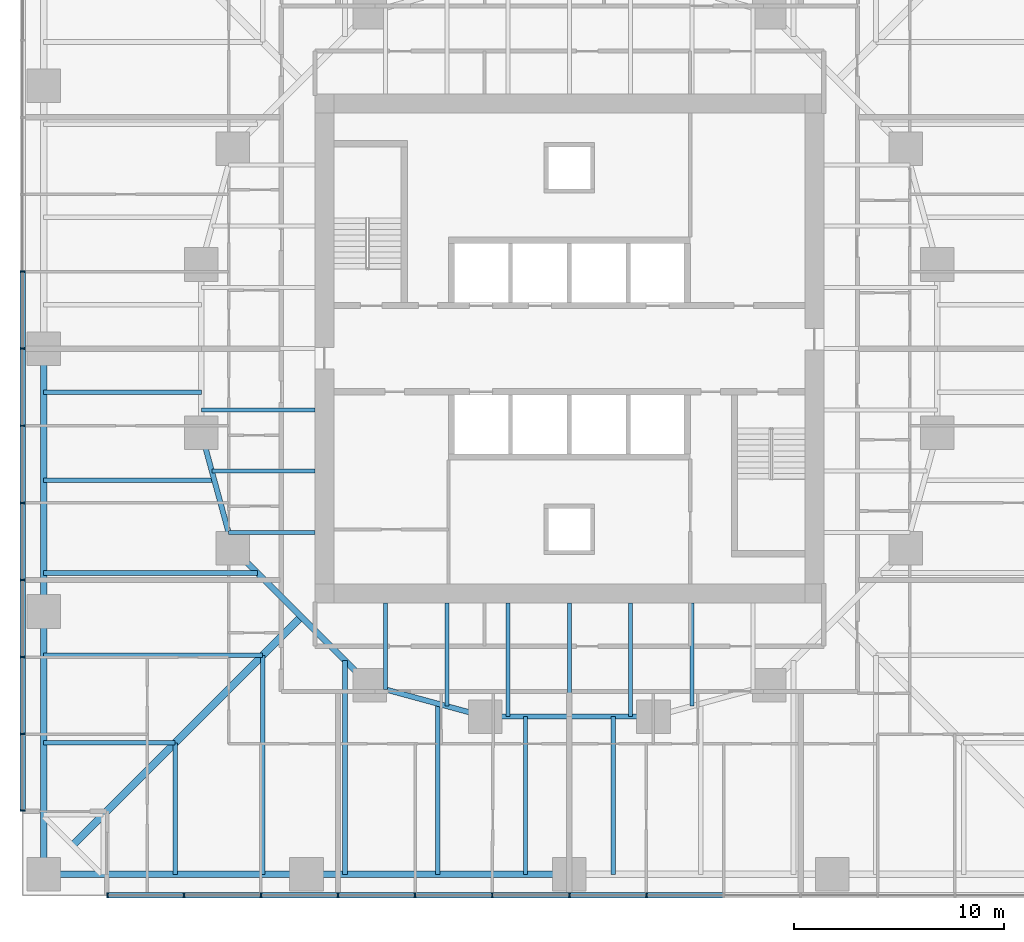
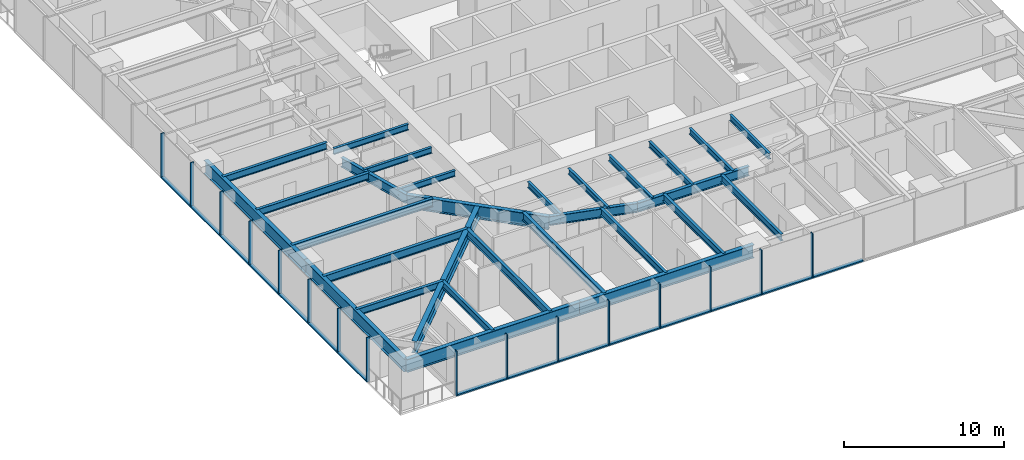
# One storey, part 2 of 14: 31 members, 29 beams, 2 elements without a shape of their own.
"""IFC4 building model written with IfcOpenShell, lengths in metres."""

from ifc_helpers import new_model, si_unit, direction, frame, origin, origin_2d, place, context, subcontext, project, spatial, rectangle, i_section, extrude, material, material_profile, profile_set, type_object, element, aggregate, save


model = new_model("IFC4")

# Units and contexts
model_context = context("Model", 3, precision=1e-05, world=origin(), true_north=direction((0.0, 1.0)))
body_context = subcontext(model_context, "Body", "Model", "MODEL_VIEW")
ifc_project = project(units=[si_unit("LENGTHUNIT", "METRE"), si_unit("AREAUNIT", "SQUARE_METRE"), si_unit("VOLUMEUNIT", "CUBIC_METRE"), si_unit("PLANEANGLEUNIT", "RADIAN"), si_unit("MASSUNIT", "GRAM", prefix="KILO")], contexts=[model_context])

# Site, building, storey
site_placement = place(None, origin())
site = spatial("IfcSite", under=ifc_project, at=site_placement, CompositionType="ELEMENT")
building_placement = place(site_placement, origin())
building = spatial("IfcBuilding", under=site, at=building_placement, Name="Torsade Residences", CompositionType="ELEMENT")
storey_placement = place(building_placement, frame((0.0, 0.0, 32.0)))
storey = spatial("IfcBuildingStorey", under=building, at=storey_placement, Name="L08", CompositionType="ELEMENT", Elevation=32.0)

# Beam
ifc_material_1 = material(Name="Steel grade 300", Category="steel")
ifc_material_profile_1 = material_profile(ifc_material_1, i_section(OverallWidth=0.35009765625, OverallDepth=0.909912109375, WebThickness=0.011962890625, FlangeThickness=0.02490234375, at=origin_2d()), Name="900WB218")
ifc_profile_set_1 = profile_set([ifc_material_profile_1], Name="Steel grade 300")
beam_type_1 = type_object("IfcBeamType", Name="CORNER GIRDER 900WB218", PredefinedType="BEAM", material=ifc_profile_set_1)
beam_1_placement = place(storey_placement, frame((16.375, 6.375, 2.794921875), z_axis=(0.707106781187, 0.707106781187, 0.0), x_axis=(-0.707106781187, 0.707106781187, 0.0)))
element("IfcBeam", 1, at=beam_1_placement, inside=storey, type_object=beam_type_1, Name="Corner girder 01 L09", PredefinedType="BEAM", context=body_context, shape_type="SweptSolid", body=[
    extrude(i_section(OverallWidth=0.35009765625, OverallDepth=0.909912109375, WebThickness=0.011962890625, FlangeThickness=0.02490234375, at=origin_2d()), origin(), (0.0, 0.0, 1.0), 15.379638671875),
])

# Curtain wall, members
ifc_material_2 = material(Name="Aluminium and glass", Category="aluminium")
curtain_wall_type = type_object("IfcCurtainWallType", Name="FRITTED GLASS CURTAIN WALL LOW ZONE", PredefinedType="NOTDEFINED", material=ifc_material_2)
curtain_wall_1_placement = place(storey_placement, origin())
curtain_wall_1 = element("IfcCurtainWall", 2, at=curtain_wall_1_placement, inside=storey, type_object=curtain_wall_type, Name="Curtain wall L08 face 1", PredefinedType="NOTDEFINED")
ifc_material_3 = material(Name="Aluminium mullion", Category="aluminium")
ifc_material_profile_2 = material_profile(ifc_material_3, rectangle(XDim=0.25, YDim=0.06494140625, at=origin_2d()), Name="CURTAIN WALL MULLION 250x65")
ifc_profile_set_2 = profile_set([ifc_material_profile_2], Name="Aluminium mullion")
member_type_1 = type_object("IfcMemberType", Name="CURTAIN WALL MULLION 250x65", PredefinedType="MULLION", material=ifc_profile_set_2)
member_1_placement = place(storey_placement, frame((18.032470703125, 4.0, 0.0), z_axis=(0.0, 0.0, 1.0), x_axis=(0.0, 1.0, 0.0)))
member_1 = element("IfcMember", 3, at=member_1_placement, type_object=member_type_1, Name="Mullion 1", PredefinedType="MULLION", context=body_context, shape_type="SweptSolid", body=[
    extrude(rectangle(XDim=0.25, YDim=0.06494140625, at=origin_2d()), origin(), (0.0, 0.0, 1.0), 3.39990234375),
])
member_2_placement = place(storey_placement, frame((21.666748046875, 4.0, 0.0), z_axis=(0.0, 0.0, 1.0), x_axis=(0.0, 1.0, 0.0)))
member_2 = element("IfcMember", 4, at=member_2_placement, type_object=member_type_1, Name="Mullion 2", PredefinedType="MULLION", context=body_context, shape_type="SweptSolid", body=[
    extrude(rectangle(XDim=0.25, YDim=0.06494140625, at=origin_2d()), origin(), (0.0, 0.0, 1.0), 3.39990234375),
])
member_3_placement = place(storey_placement, frame((25.333251953125, 4.0, 0.0), z_axis=(0.0, 0.0, 1.0), x_axis=(0.0, 1.0, 0.0)))
member_3 = element("IfcMember", 5, at=member_3_placement, type_object=member_type_1, Name="Mullion 3", PredefinedType="MULLION", context=body_context, shape_type="SweptSolid", body=[
    extrude(rectangle(XDim=0.25, YDim=0.06494140625, at=origin_2d()), origin(), (0.0, 0.0, 1.0), 3.39990234375),
])
member_4_placement = place(storey_placement, frame((29.0, 4.0, 0.0), z_axis=(0.0, 0.0, 1.0), x_axis=(0.0, 1.0, 0.0)))
member_4 = element("IfcMember", 6, at=member_4_placement, type_object=member_type_1, Name="Mullion 4", PredefinedType="MULLION", context=body_context, shape_type="SweptSolid", body=[
    extrude(rectangle(XDim=0.25, YDim=0.06494140625, at=origin_2d()), origin(), (0.0, 0.0, 1.0), 3.39990234375),
])
member_5_placement = place(storey_placement, frame((32.666748046875, 4.0, 0.0), z_axis=(0.0, 0.0, 1.0), x_axis=(0.0, 1.0, 0.0)))
member_5 = element("IfcMember", 7, at=member_5_placement, type_object=member_type_1, Name="Mullion 5", PredefinedType="MULLION", context=body_context, shape_type="SweptSolid", body=[
    extrude(rectangle(XDim=0.25, YDim=0.06494140625, at=origin_2d()), origin(), (0.0, 0.0, 1.0), 3.39990234375),
])
member_6_placement = place(storey_placement, frame((36.333251953125, 4.0, 0.0), z_axis=(0.0, 0.0, 1.0), x_axis=(0.0, 1.0, 0.0)))
member_6 = element("IfcMember", 8, at=member_6_placement, type_object=member_type_1, Name="Mullion 6", PredefinedType="MULLION", context=body_context, shape_type="SweptSolid", body=[
    extrude(rectangle(XDim=0.25, YDim=0.06494140625, at=origin_2d()), origin(), (0.0, 0.0, 1.0), 3.39990234375),
])
member_7_placement = place(storey_placement, frame((40.0, 4.0, 0.0), z_axis=(0.0, 0.0, 1.0), x_axis=(0.0, 1.0, 0.0)))
member_7 = element("IfcMember", 9, at=member_7_placement, type_object=member_type_1, Name="Mullion 7", PredefinedType="MULLION", context=body_context, shape_type="SweptSolid", body=[
    extrude(rectangle(XDim=0.25, YDim=0.06494140625, at=origin_2d()), origin(), (0.0, 0.0, 1.0), 3.39990234375),
])
member_8_placement = place(storey_placement, frame((43.666748046875, 4.0, 0.0), z_axis=(0.0, 0.0, 1.0), x_axis=(0.0, 1.0, 0.0)))
member_8 = element("IfcMember", 10, at=member_8_placement, type_object=member_type_1, Name="Mullion 8", PredefinedType="MULLION", context=body_context, shape_type="SweptSolid", body=[
    extrude(rectangle(XDim=0.25, YDim=0.06494140625, at=origin_2d()), origin(), (0.0, 0.0, 1.0), 3.39990234375),
])

curtain_wall_2_placement = place(storey_placement, origin())
curtain_wall_2 = element("IfcCurtainWall", 11, at=curtain_wall_2_placement, inside=storey, type_object=curtain_wall_type, Name="Curtain wall L08 face 10", PredefinedType="NOTDEFINED")
member_9_placement = place(storey_placement, frame((14.0, 33.666748046875, 0.0), z_axis=(0.0, 0.0, 1.0), x_axis=(1.0, 0.0, 0.0)))
member_9 = element("IfcMember", 12, at=member_9_placement, type_object=member_type_1, Name="Mullion 6", PredefinedType="MULLION", context=body_context, shape_type="SweptSolid", body=[
    extrude(rectangle(XDim=0.25, YDim=0.06494140625, at=origin_2d()), origin(), (0.0, 0.0, 1.0), 3.39990234375),
])
member_10_placement = place(storey_placement, frame((14.0, 30.0, 0.0), z_axis=(0.0, 0.0, 1.0), x_axis=(1.0, 0.0, 0.0)))
member_10 = element("IfcMember", 13, at=member_10_placement, type_object=member_type_1, Name="Mullion 7", PredefinedType="MULLION", context=body_context, shape_type="SweptSolid", body=[
    extrude(rectangle(XDim=0.25, YDim=0.06494140625, at=origin_2d()), origin(), (0.0, 0.0, 1.0), 3.39990234375),
])
member_11_placement = place(storey_placement, frame((14.0, 26.333251953125, 0.0), z_axis=(0.0, 0.0, 1.0), x_axis=(1.0, 0.0, 0.0)))
member_11 = element("IfcMember", 14, at=member_11_placement, type_object=member_type_1, Name="Mullion 8", PredefinedType="MULLION", context=body_context, shape_type="SweptSolid", body=[
    extrude(rectangle(XDim=0.25, YDim=0.06494140625, at=origin_2d()), origin(), (0.0, 0.0, 1.0), 3.39990234375),
])
member_12_placement = place(storey_placement, frame((14.0, 22.666748046875, 0.0), z_axis=(0.0, 0.0, 1.0), x_axis=(1.0, 0.0, 0.0)))
member_12 = element("IfcMember", 15, at=member_12_placement, type_object=member_type_1, Name="Mullion 9", PredefinedType="MULLION", context=body_context, shape_type="SweptSolid", body=[
    extrude(rectangle(XDim=0.25, YDim=0.06494140625, at=origin_2d()), origin(), (0.0, 0.0, 1.0), 3.39990234375),
])
member_13_placement = place(storey_placement, frame((14.0, 19.0, 0.0), z_axis=(0.0, 0.0, 1.0), x_axis=(1.0, 0.0, 0.0)))
member_13 = element("IfcMember", 16, at=member_13_placement, type_object=member_type_1, Name="Mullion 10", PredefinedType="MULLION", context=body_context, shape_type="SweptSolid", body=[
    extrude(rectangle(XDim=0.25, YDim=0.06494140625, at=origin_2d()), origin(), (0.0, 0.0, 1.0), 3.39990234375),
])
member_14_placement = place(storey_placement, frame((14.0, 15.333251953125, 0.0), z_axis=(0.0, 0.0, 1.0), x_axis=(1.0, 0.0, 0.0)))
member_14 = element("IfcMember", 17, at=member_14_placement, type_object=member_type_1, Name="Mullion 11", PredefinedType="MULLION", context=body_context, shape_type="SweptSolid", body=[
    extrude(rectangle(XDim=0.25, YDim=0.06494140625, at=origin_2d()), origin(), (0.0, 0.0, 1.0), 3.39990234375),
])
member_15_placement = place(storey_placement, frame((14.0, 11.666748046875, 0.0), z_axis=(0.0, 0.0, 1.0), x_axis=(1.0, 0.0, 0.0)))
member_15 = element("IfcMember", 18, at=member_15_placement, type_object=member_type_1, Name="Mullion 12", PredefinedType="MULLION", context=body_context, shape_type="SweptSolid", body=[
    extrude(rectangle(XDim=0.25, YDim=0.06494140625, at=origin_2d()), origin(), (0.0, 0.0, 1.0), 3.39990234375),
])
member_16_placement = place(storey_placement, frame((14.0, 8.032470703125, 0.0), z_axis=(0.0, 0.0, 1.0), x_axis=(1.0, 0.0, 0.0)))
member_16 = element("IfcMember", 19, at=member_16_placement, type_object=member_type_1, Name="Mullion 13", PredefinedType="MULLION", context=body_context, shape_type="SweptSolid", body=[
    extrude(rectangle(XDim=0.25, YDim=0.06494140625, at=origin_2d()), origin(), (0.0, 0.0, 1.0), 3.39990234375),
])

# Member
ifc_material_4 = material(Name="Aluminium transom", Category="aluminium")
ifc_material_profile_3 = material_profile(ifc_material_4, rectangle(XDim=0.25, YDim=0.10009765625, at=origin_2d()), Name="CURTAIN WALL TRANSOM 250x100")
ifc_profile_set_3 = profile_set([ifc_material_profile_3], Name="Aluminium transom")
member_type_2 = type_object("IfcMemberType", Name="CURTAIN WALL TRANSOM 250x100", PredefinedType="USERDEFINED", material=ifc_profile_set_3)
member_17_placement = place(storey_placement, frame((18.06494140625, 4.0, 0.050048828125), z_axis=(1.0, 0.0, 0.0), x_axis=(0.0, 1.0, 0.0)))
member_17 = element("IfcMember", 20, at=member_17_placement, type_object=member_type_2, Name="Transom 1.1", ObjectType="TRANSOM", PredefinedType="USERDEFINED", context=body_context, shape_type="SweptSolid", body=[
    extrude(rectangle(XDim=0.25, YDim=0.10009765625, at=origin_2d()), origin(), (0.0, 0.0, 1.0), 3.5693359375),
])

member_18_placement = place(storey_placement, frame((21.69921875, 4.0, 0.050048828125), z_axis=(1.0, 0.0, 0.0), x_axis=(0.0, 1.0, 0.0)))
member_18 = element("IfcMember", 21, at=member_18_placement, type_object=member_type_2, Name="Transom 2.1", ObjectType="TRANSOM", PredefinedType="USERDEFINED", context=body_context, shape_type="SweptSolid", body=[
    extrude(rectangle(XDim=0.25, YDim=0.10009765625, at=origin_2d()), origin(), (0.0, 0.0, 1.0), 3.6015625),
])

member_19_placement = place(storey_placement, frame((25.36572265625, 4.0, 0.050048828125), z_axis=(1.0, 0.0, 0.0), x_axis=(0.0, 1.0, 0.0)))
member_19 = element("IfcMember", 22, at=member_19_placement, type_object=member_type_2, Name="Transom 3.1", ObjectType="TRANSOM", PredefinedType="USERDEFINED", context=body_context, shape_type="SweptSolid", body=[
    extrude(rectangle(XDim=0.25, YDim=0.10009765625, at=origin_2d()), origin(), (0.0, 0.0, 1.0), 3.601806640625),
])

member_20_placement = place(storey_placement, frame((29.032470703125, 4.0, 0.050048828125), z_axis=(1.0, 0.0, 0.0), x_axis=(0.0, 1.0, 0.0)))
member_20 = element("IfcMember", 23, at=member_20_placement, type_object=member_type_2, Name="Transom 4.1", ObjectType="TRANSOM", PredefinedType="USERDEFINED", context=body_context, shape_type="SweptSolid", body=[
    extrude(rectangle(XDim=0.25, YDim=0.10009765625, at=origin_2d()), origin(), (0.0, 0.0, 1.0), 3.601806640625),
])

member_21_placement = place(storey_placement, frame((32.69921875, 4.0, 0.050048828125), z_axis=(1.0, 0.0, 0.0), x_axis=(0.0, 1.0, 0.0)))
member_21 = element("IfcMember", 24, at=member_21_placement, type_object=member_type_2, Name="Transom 5.1", ObjectType="TRANSOM", PredefinedType="USERDEFINED", context=body_context, shape_type="SweptSolid", body=[
    extrude(rectangle(XDim=0.25, YDim=0.10009765625, at=origin_2d()), origin(), (0.0, 0.0, 1.0), 3.6015625),
])

member_22_placement = place(storey_placement, frame((36.36572265625, 4.0, 0.050048828125), z_axis=(1.0, 0.0, 0.0), x_axis=(0.0, 1.0, 0.0)))
member_22 = element("IfcMember", 25, at=member_22_placement, type_object=member_type_2, Name="Transom 6.1", ObjectType="TRANSOM", PredefinedType="USERDEFINED", context=body_context, shape_type="SweptSolid", body=[
    extrude(rectangle(XDim=0.25, YDim=0.10009765625, at=origin_2d()), origin(), (0.0, 0.0, 1.0), 3.601806640625),
])

member_23_placement = place(storey_placement, frame((40.032470703125, 4.0, 0.050048828125), z_axis=(1.0, 0.0, 0.0), x_axis=(0.0, 1.0, 0.0)))
member_23 = element("IfcMember", 26, at=member_23_placement, type_object=member_type_2, Name="Transom 7.1", ObjectType="TRANSOM", PredefinedType="USERDEFINED", context=body_context, shape_type="SweptSolid", body=[
    extrude(rectangle(XDim=0.25, YDim=0.10009765625, at=origin_2d()), origin(), (0.0, 0.0, 1.0), 3.601806640625),
])

member_24_placement = place(storey_placement, frame((43.69921875, 4.0, 0.050048828125), z_axis=(1.0, 0.0, 0.0), x_axis=(0.0, 1.0, 0.0)))
member_24 = element("IfcMember", 27, at=member_24_placement, type_object=member_type_2, Name="Transom 8.1", ObjectType="TRANSOM", PredefinedType="USERDEFINED", context=body_context, shape_type="SweptSolid", body=[
    extrude(rectangle(XDim=0.25, YDim=0.10009765625, at=origin_2d()), origin(), (0.0, 0.0, 1.0), 3.6015625),
])

aggregate(curtain_wall_1, [member_1, member_2, member_3, member_4, member_5, member_6, member_7, member_8, member_17, member_18, member_19, member_20, member_21, member_22, member_23, member_24])

member_25_placement = place(storey_placement, frame((14.0, 33.63427734375, 0.050048828125), z_axis=(0.0, -1.0, 0.0), x_axis=(1.0, 0.0, 0.0)))
member_25 = element("IfcMember", 28, at=member_25_placement, type_object=member_type_2, Name="Transom 6.1", ObjectType="TRANSOM", PredefinedType="USERDEFINED", context=body_context, shape_type="SweptSolid", body=[
    extrude(rectangle(XDim=0.25, YDim=0.10009765625, at=origin_2d()), origin(), (0.0, 0.0, 1.0), 3.601806640625),
])

member_26_placement = place(storey_placement, frame((14.0, 29.967529296875, 0.050048828125), z_axis=(0.0, -1.0, 0.0), x_axis=(1.0, 0.0, 0.0)))
member_26 = element("IfcMember", 29, at=member_26_placement, type_object=member_type_2, Name="Transom 7.1", ObjectType="TRANSOM", PredefinedType="USERDEFINED", context=body_context, shape_type="SweptSolid", body=[
    extrude(rectangle(XDim=0.25, YDim=0.10009765625, at=origin_2d()), origin(), (0.0, 0.0, 1.0), 3.601806640625),
])

member_27_placement = place(storey_placement, frame((14.0, 26.30078125, 0.050048828125), z_axis=(0.0, -1.0, 0.0), x_axis=(1.0, 0.0, 0.0)))
member_27 = element("IfcMember", 30, at=member_27_placement, type_object=member_type_2, Name="Transom 8.1", ObjectType="TRANSOM", PredefinedType="USERDEFINED", context=body_context, shape_type="SweptSolid", body=[
    extrude(rectangle(XDim=0.25, YDim=0.10009765625, at=origin_2d()), origin(), (0.0, 0.0, 1.0), 3.6015625),
])

member_28_placement = place(storey_placement, frame((14.0, 22.63427734375, 0.050048828125), z_axis=(0.0, -1.0, 0.0), x_axis=(1.0, 0.0, 0.0)))
member_28 = element("IfcMember", 31, at=member_28_placement, type_object=member_type_2, Name="Transom 9.1", ObjectType="TRANSOM", PredefinedType="USERDEFINED", context=body_context, shape_type="SweptSolid", body=[
    extrude(rectangle(XDim=0.25, YDim=0.10009765625, at=origin_2d()), origin(), (0.0, 0.0, 1.0), 3.601806640625),
])

member_29_placement = place(storey_placement, frame((14.0, 18.967529296875, 0.050048828125), z_axis=(0.0, -1.0, 0.0), x_axis=(1.0, 0.0, 0.0)))
member_29 = element("IfcMember", 32, at=member_29_placement, type_object=member_type_2, Name="Transom 10.1", ObjectType="TRANSOM", PredefinedType="USERDEFINED", context=body_context, shape_type="SweptSolid", body=[
    extrude(rectangle(XDim=0.25, YDim=0.10009765625, at=origin_2d()), origin(), (0.0, 0.0, 1.0), 3.601806640625),
])

member_30_placement = place(storey_placement, frame((14.0, 15.30078125, 0.050048828125), z_axis=(0.0, -1.0, 0.0), x_axis=(1.0, 0.0, 0.0)))
member_30 = element("IfcMember", 33, at=member_30_placement, type_object=member_type_2, Name="Transom 11.1", ObjectType="TRANSOM", PredefinedType="USERDEFINED", context=body_context, shape_type="SweptSolid", body=[
    extrude(rectangle(XDim=0.25, YDim=0.10009765625, at=origin_2d()), origin(), (0.0, 0.0, 1.0), 3.6015625),
])

member_31_placement = place(storey_placement, frame((14.0, 11.63427734375, 0.050048828125), z_axis=(0.0, -1.0, 0.0), x_axis=(1.0, 0.0, 0.0)))
member_31 = element("IfcMember", 34, at=member_31_placement, type_object=member_type_2, Name="Transom 12.1", ObjectType="TRANSOM", PredefinedType="USERDEFINED", context=body_context, shape_type="SweptSolid", body=[
    extrude(rectangle(XDim=0.25, YDim=0.10009765625, at=origin_2d()), origin(), (0.0, 0.0, 1.0), 3.5693359375),
])

aggregate(curtain_wall_2, [member_9, member_10, member_11, member_12, member_13, member_14, member_15, member_16, member_25, member_26, member_27, member_28, member_29, member_30, member_31])

# Beams
ifc_material_5 = material(Name="Steel grade 300", Category="steel")
ifc_material_profile_4 = material_profile(ifc_material_5, i_section(OverallWidth=0.300048828125, OverallDepth=1.0, WebThickness=0.01611328125, FlangeThickness=0.028076171875, at=origin_2d()), Name="1000WB215")
ifc_profile_set_4 = profile_set([ifc_material_profile_4], Name="Steel grade 300")
beam_type_2 = type_object("IfcBeamType", Name="EDGE BEAM 1000WB215", PredefinedType="SPANDREL", material=ifc_profile_set_4)
for number, where, z_axis, x_axis, name in (
    (35, (15.0, 5.0, 2.75), (1.0, 0.0, 0.0), (0.0, 1.0, 0.0), "Edge beam 01 L09"),
    (36, (27.5, 5.0, 2.75), (1.0, 0.0, 0.0), (0.0, 1.0, 0.0), "Edge beam 02 L09"),
    (37, (15.0, 30.0, 2.75), (0.0, -1.0, 0.0), (1.0, 0.0, 0.0), "Edge beam 15 L09"),
    (38, (15.0, 17.5, 2.75), (0.0, -1.0, 0.0), (1.0, 0.0, 0.0), "Edge beam 16 L09"),
):
    element("IfcBeam", number, at=place(storey_placement, frame(where, z_axis=z_axis, x_axis=x_axis)), inside=storey, type_object=beam_type_2, Name=name, PredefinedType="SPANDREL", context=body_context, shape_type="SweptSolid", body=[
        extrude(i_section(OverallWidth=0.300048828125, OverallDepth=1.0, WebThickness=0.01611328125, FlangeThickness=0.028076171875, at=origin_2d()), origin(), (0.0, 0.0, 1.0), 12.5),
    ])
ifc_material_6 = material(Name="Steel grade 300", Category="steel")
ifc_material_profile_5 = material_profile(ifc_material_6, i_section(OverallWidth=0.18994140625, OverallDepth=0.4541015625, WebThickness=0.008544921875, FlangeThickness=0.0126953125, FilletRadius=0.011474609375, at=origin_2d()), Name="460UB67.1")
ifc_profile_set_5 = profile_set([ifc_material_profile_5], Name="Steel grade 300")
beam_type_3 = type_object("IfcBeamType", Name="INNER FLOOR BEAM 460UB67.1", PredefinedType="JOIST", material=ifc_profile_set_5)
beam_2_placement = place(storey_placement, frame((45.824951171875, 17.89990234375, 3.02294921875), z_axis=(0.0, -1.0, 0.0), x_axis=(1.0, 0.0, 0.0)))
element("IfcBeam", 39, at=beam_2_placement, inside=storey, type_object=beam_type_3, Name="Inner floor beam IS02 L09", PredefinedType="JOIST", context=body_context, shape_type="SweptSolid", body=[
    extrude(i_section(OverallWidth=0.18994140625, OverallDepth=0.4541015625, WebThickness=0.008544921875, FlangeThickness=0.0126953125, FilletRadius=0.011474609375, at=origin_2d()), origin(), (0.0, 0.0, 1.0), 4.902099609375),
])
for number, where, z_axis, x_axis, name in (
    (40, (42.91259765625, 17.89990234375, 3.02294921875), (0.0, -1.0, 0.0), (1.0, 0.0, 0.0), "Inner floor beam IS03 L09"),
    (41, (40.0, 17.89990234375, 3.02294921875), (0.0, -1.0, 0.0), (1.0, 0.0, 0.0), "Inner floor beam IS04 L09"),
    (42, (37.08740234375, 17.89990234375, 3.02294921875), (0.0, -1.0, 0.0), (1.0, 0.0, 0.0), "Inner floor beam IS05 L09"),
):
    element("IfcBeam", number, at=place(storey_placement, frame(where, z_axis=z_axis, x_axis=x_axis)), inside=storey, type_object=beam_type_3, Name=name, PredefinedType="JOIST", context=body_context, shape_type="SweptSolid", body=[
        extrude(i_section(OverallWidth=0.18994140625, OverallDepth=0.4541015625, WebThickness=0.008544921875, FlangeThickness=0.0126953125, FilletRadius=0.011474609375, at=origin_2d()), origin(), (0.0, 0.0, 1.0), 5.39990234375),
    ])
beam_3_placement = place(storey_placement, frame((34.175048828125, 17.89990234375, 3.02294921875), z_axis=(0.0, -1.0, 0.0), x_axis=(1.0, 0.0, 0.0)))
element("IfcBeam", 43, at=beam_3_placement, inside=storey, type_object=beam_type_3, Name="Inner floor beam IS06 L09", PredefinedType="JOIST", context=body_context, shape_type="SweptSolid", body=[
    extrude(i_section(OverallWidth=0.18994140625, OverallDepth=0.4541015625, WebThickness=0.008544921875, FlangeThickness=0.0126953125, FilletRadius=0.011474609375, at=origin_2d()), origin(), (0.0, 0.0, 1.0), 4.902099609375),
])
beam_4_placement = place(storey_placement, frame((31.262451171875, 17.89990234375, 3.02294921875), z_axis=(0.0, -1.0, 0.0), x_axis=(1.0, 0.0, 0.0)))
element("IfcBeam", 44, at=beam_4_placement, inside=storey, type_object=beam_type_3, Name="Inner floor beam IS07 L09", PredefinedType="JOIST", context=body_context, shape_type="SweptSolid", body=[
    extrude(i_section(OverallWidth=0.18994140625, OverallDepth=0.4541015625, WebThickness=0.008544921875, FlangeThickness=0.0126953125, FilletRadius=0.011474609375, at=origin_2d()), origin(), (0.0, 0.0, 1.0), 4.10791015625),
])
beam_5_placement = place(storey_placement, frame((27.89990234375, 27.08740234375, 3.02294921875), z_axis=(-1.0, 0.0, 0.0), x_axis=(0.0, -1.0, 0.0)))
element("IfcBeam", 45, at=beam_5_placement, inside=storey, type_object=beam_type_3, Name="Inner floor beam IW05 L09", PredefinedType="JOIST", context=body_context, shape_type="SweptSolid", body=[
    extrude(i_section(OverallWidth=0.18994140625, OverallDepth=0.4541015625, WebThickness=0.008544921875, FlangeThickness=0.0126953125, FilletRadius=0.011474609375, at=origin_2d()), origin(), (0.0, 0.0, 1.0), 5.39990234375),
])
beam_6_placement = place(storey_placement, frame((27.89990234375, 24.175048828125, 3.02294921875), z_axis=(-1.0, 0.0, 0.0), x_axis=(0.0, -1.0, 0.0)))
element("IfcBeam", 46, at=beam_6_placement, inside=storey, type_object=beam_type_3, Name="Inner floor beam IW06 L09", PredefinedType="JOIST", context=body_context, shape_type="SweptSolid", body=[
    extrude(i_section(OverallWidth=0.18994140625, OverallDepth=0.4541015625, WebThickness=0.008544921875, FlangeThickness=0.0126953125, FilletRadius=0.011474609375, at=origin_2d()), origin(), (0.0, 0.0, 1.0), 4.902099609375),
])
beam_7_placement = place(storey_placement, frame((27.89990234375, 21.262451171875, 3.02294921875), z_axis=(-1.0, 0.0, 0.0), x_axis=(0.0, -1.0, 0.0)))
element("IfcBeam", 47, at=beam_7_placement, inside=storey, type_object=beam_type_3, Name="Inner floor beam IW07 L09", PredefinedType="JOIST", context=body_context, shape_type="SweptSolid", body=[
    extrude(i_section(OverallWidth=0.18994140625, OverallDepth=0.4541015625, WebThickness=0.008544921875, FlangeThickness=0.0126953125, FilletRadius=0.011474609375, at=origin_2d()), origin(), (0.0, 0.0, 1.0), 4.10791015625),
])
ifc_material_7 = material(Name="Steel grade 300", Category="steel")
ifc_material_profile_6 = material_profile(ifc_material_7, i_section(OverallWidth=0.300048828125, OverallDepth=1.0, WebThickness=0.01611328125, FlangeThickness=0.028076171875, at=origin_2d()), Name="1000WB215")
ifc_profile_set_6 = profile_set([ifc_material_profile_6], Name="Steel grade 300")
beam_type_4 = type_object("IfcBeamType", Name="RING CORNER GIRDER 1000WB215", PredefinedType="BEAM", material=ifc_profile_set_6)
beam_8_placement = place(storey_placement, frame((24.0, 20.5, 2.75), z_axis=(0.707106781187, -0.707106781187, 0.0), x_axis=(0.707106781187, 0.707106781187, 0.0)))
element("IfcBeam", 48, at=beam_8_placement, inside=storey, type_object=beam_type_4, Name="Ring girder IR11 L09", PredefinedType="BEAM", context=body_context, shape_type="SweptSolid", body=[
    extrude(i_section(OverallWidth=0.300048828125, OverallDepth=1.0, WebThickness=0.01611328125, FlangeThickness=0.028076171875, at=origin_2d()), origin(), (0.0, 0.0, 1.0), 9.1923828125),
])
ifc_material_8 = material(Name="Steel grade 300", Category="steel")
ifc_material_profile_7 = material_profile(ifc_material_8, i_section(OverallWidth=0.25, OverallDepth=0.699951171875, WebThickness=0.010009765625, FlangeThickness=0.02001953125, at=origin_2d()), Name="700WB130")
ifc_profile_set_7 = profile_set([ifc_material_profile_7], Name="Steel grade 300")
beam_type_5 = type_object("IfcBeamType", Name="RING GIRDER 700WB130", PredefinedType="BEAM", material=ifc_profile_set_7)
for number, where, z_axis, x_axis, name in (
    (49, (22.5, 26.0, 2.89990234375), (0.263117405792, -0.964763821238, 0.0), (0.964763821238, 0.263117405792, 0.0), "Ring girder IR10 L09"),
    (50, (30.5, 14.0, 2.89990234375), (0.964763821238, -0.263117405792, 0.0), (0.263117405792, 0.964763821238, 0.0), "Ring girder IR12 L09"),
):
    element("IfcBeam", number, at=place(storey_placement, frame(where, z_axis=z_axis, x_axis=x_axis)), inside=storey, type_object=beam_type_5, Name=name, PredefinedType="BEAM", context=body_context, shape_type="SweptSolid", body=[
        extrude(i_section(OverallWidth=0.25, OverallDepth=0.699951171875, WebThickness=0.010009765625, FlangeThickness=0.02001953125, at=origin_2d()), origin(), (0.0, 0.0, 1.0), 5.700927734375),
    ])
beam_9_placement = place(storey_placement, frame((36.0, 12.5, 2.89990234375), z_axis=(1.0, 0.0, 0.0), x_axis=(0.0, 1.0, 0.0)))
element("IfcBeam", 51, at=beam_9_placement, inside=storey, type_object=beam_type_5, Name="Ring girder IR13 L09", PredefinedType="BEAM", context=body_context, shape_type="SweptSolid", body=[
    extrude(i_section(OverallWidth=0.25, OverallDepth=0.699951171875, WebThickness=0.010009765625, FlangeThickness=0.02001953125, at=origin_2d()), origin(), (0.0, 0.0, 1.0), 8.0),
])
ifc_material_9 = material(Name="Steel grade 300", Category="steel")
ifc_material_profile_8 = material_profile(ifc_material_9, i_section(OverallWidth=0.208984375, OverallDepth=0.528076171875, WebThickness=0.009521484375, FlangeThickness=0.01318359375, FilletRadius=0.013916015625, at=origin_2d()), Name="530UB82.0")
ifc_profile_set_8 = profile_set([ifc_material_profile_8], Name="Steel grade 300")
beam_type_6 = type_object("IfcBeamType", Name="SECONDARY BEAM 530UB82.0", PredefinedType="JOIST", material=ifc_profile_set_8)
beam_10_placement = place(storey_placement, frame((21.25, 5.0, 2.986083984375), z_axis=(0.0, 1.0, 0.0), x_axis=(-1.0, 0.0, 0.0)))
element("IfcBeam", 52, at=beam_10_placement, inside=storey, type_object=beam_type_6, Name="Floor beam FS02 L09", PredefinedType="JOIST", context=body_context, shape_type="SweptSolid", body=[
    extrude(i_section(OverallWidth=0.208984375, OverallDepth=0.528076171875, WebThickness=0.009521484375, FlangeThickness=0.01318359375, FilletRadius=0.013916015625, at=origin_2d()), origin(), (0.0, 0.0, 1.0), 6.25),
])
beam_11_placement = place(storey_placement, frame((33.75, 5.0, 2.986083984375), z_axis=(0.0, 1.0, 0.0), x_axis=(-1.0, 0.0, 0.0)))
element("IfcBeam", 53, at=beam_11_placement, inside=storey, type_object=beam_type_6, Name="Floor beam FS05 L09", PredefinedType="JOIST", context=body_context, shape_type="SweptSolid", body=[
    extrude(i_section(OverallWidth=0.208984375, OverallDepth=0.528076171875, WebThickness=0.009521484375, FlangeThickness=0.01318359375, FilletRadius=0.013916015625, at=origin_2d()), origin(), (0.0, 0.0, 1.0), 8.113525390625),
])
for number, where, z_axis, x_axis, name in (
    (54, (37.916748046875, 5.0, 2.986083984375), (0.0, 1.0, 0.0), (-1.0, 0.0, 0.0), "Floor beam FS06 L09"),
    (55, (42.083251953125, 5.0, 2.986083984375), (0.0, 1.0, 0.0), (-1.0, 0.0, 0.0), "Floor beam FS07 L09"),
    (56, (15.0, 27.916748046875, 2.986083984375), (1.0, 0.0, 0.0), (0.0, 1.0, 0.0), "Floor beam FW07 L09"),
):
    element("IfcBeam", number, at=place(storey_placement, frame(where, z_axis=z_axis, x_axis=x_axis)), inside=storey, type_object=beam_type_6, Name=name, PredefinedType="JOIST", context=body_context, shape_type="SweptSolid", body=[
        extrude(i_section(OverallWidth=0.208984375, OverallDepth=0.528076171875, WebThickness=0.009521484375, FlangeThickness=0.01318359375, FilletRadius=0.013916015625, at=origin_2d()), origin(), (0.0, 0.0, 1.0), 7.5),
    ])
beam_12_placement = place(storey_placement, frame((15.0, 23.75, 2.986083984375), z_axis=(1.0, 0.0, 0.0), x_axis=(0.0, 1.0, 0.0)))
element("IfcBeam", 57, at=beam_12_placement, inside=storey, type_object=beam_type_6, Name="Floor beam FW08 L09", PredefinedType="JOIST", context=body_context, shape_type="SweptSolid", body=[
    extrude(i_section(OverallWidth=0.208984375, OverallDepth=0.528076171875, WebThickness=0.009521484375, FlangeThickness=0.01318359375, FilletRadius=0.013916015625, at=origin_2d()), origin(), (0.0, 0.0, 1.0), 8.113525390625),
])
beam_13_placement = place(storey_placement, frame((15.0, 11.25, 2.986083984375), z_axis=(1.0, 0.0, 0.0), x_axis=(0.0, 1.0, 0.0)))
element("IfcBeam", 58, at=beam_13_placement, inside=storey, type_object=beam_type_6, Name="Floor beam FW11 L09", PredefinedType="JOIST", context=body_context, shape_type="SweptSolid", body=[
    extrude(i_section(OverallWidth=0.208984375, OverallDepth=0.528076171875, WebThickness=0.009521484375, FlangeThickness=0.01318359375, FilletRadius=0.013916015625, at=origin_2d()), origin(), (0.0, 0.0, 1.0), 6.25),
])
ifc_material_10 = material(Name="Steel grade 300", Category="steel")
ifc_material_profile_9 = material_profile(ifc_material_10, i_section(OverallWidth=0.22900390625, OverallDepth=0.612060546875, WebThickness=0.011962890625, FlangeThickness=0.01953125, FilletRadius=0.013916015625, at=origin_2d()), Name="610UB125")
ifc_profile_set_9 = profile_set([ifc_material_profile_9], Name="Steel grade 300")
beam_type_7 = type_object("IfcBeamType", Name="SECONDARY BEAM 610UB125", PredefinedType="JOIST", material=ifc_profile_set_9)
beam_14_placement = place(storey_placement, frame((25.416748046875, 5.0, 2.944091796875), z_axis=(0.0, 1.0, 0.0), x_axis=(-1.0, 0.0, 0.0)))
element("IfcBeam", 59, at=beam_14_placement, inside=storey, type_object=beam_type_7, Name="Floor beam FS03 L09", PredefinedType="JOIST", context=body_context, shape_type="SweptSolid", body=[
    extrude(i_section(OverallWidth=0.22900390625, OverallDepth=0.612060546875, WebThickness=0.011962890625, FlangeThickness=0.01953125, FilletRadius=0.013916015625, at=origin_2d()), origin(), (0.0, 0.0, 1.0), 10.416748046875),
])
for number, where, z_axis, x_axis, name in (
    (60, (29.333251953125, 5.0, 2.944091796875), (0.0, 1.0, 0.0), (-1.0, 0.0, 0.0), "Floor beam FS04 L09"),
    (61, (15.0, 19.333251953125, 2.944091796875), (1.0, 0.0, 0.0), (0.0, 1.0, 0.0), "Floor beam FW09 L09"),
):
    element("IfcBeam", number, at=place(storey_placement, frame(where, z_axis=z_axis, x_axis=x_axis)), inside=storey, type_object=beam_type_7, Name=name, PredefinedType="JOIST", context=body_context, shape_type="SweptSolid", body=[
        extrude(i_section(OverallWidth=0.22900390625, OverallDepth=0.612060546875, WebThickness=0.011962890625, FlangeThickness=0.01953125, FilletRadius=0.013916015625, at=origin_2d()), origin(), (0.0, 0.0, 1.0), 10.166748046875),
    ])
beam_15_placement = place(storey_placement, frame((15.0, 15.416748046875, 2.944091796875), z_axis=(1.0, 0.0, 0.0), x_axis=(0.0, 1.0, 0.0)))
element("IfcBeam", 62, at=beam_15_placement, inside=storey, type_object=beam_type_7, Name="Floor beam FW10 L09", PredefinedType="JOIST", context=body_context, shape_type="SweptSolid", body=[
    extrude(i_section(OverallWidth=0.22900390625, OverallDepth=0.612060546875, WebThickness=0.011962890625, FlangeThickness=0.01953125, FilletRadius=0.013916015625, at=origin_2d()), origin(), (0.0, 0.0, 1.0), 10.416748046875),
])

save(model, "model.ifc")
